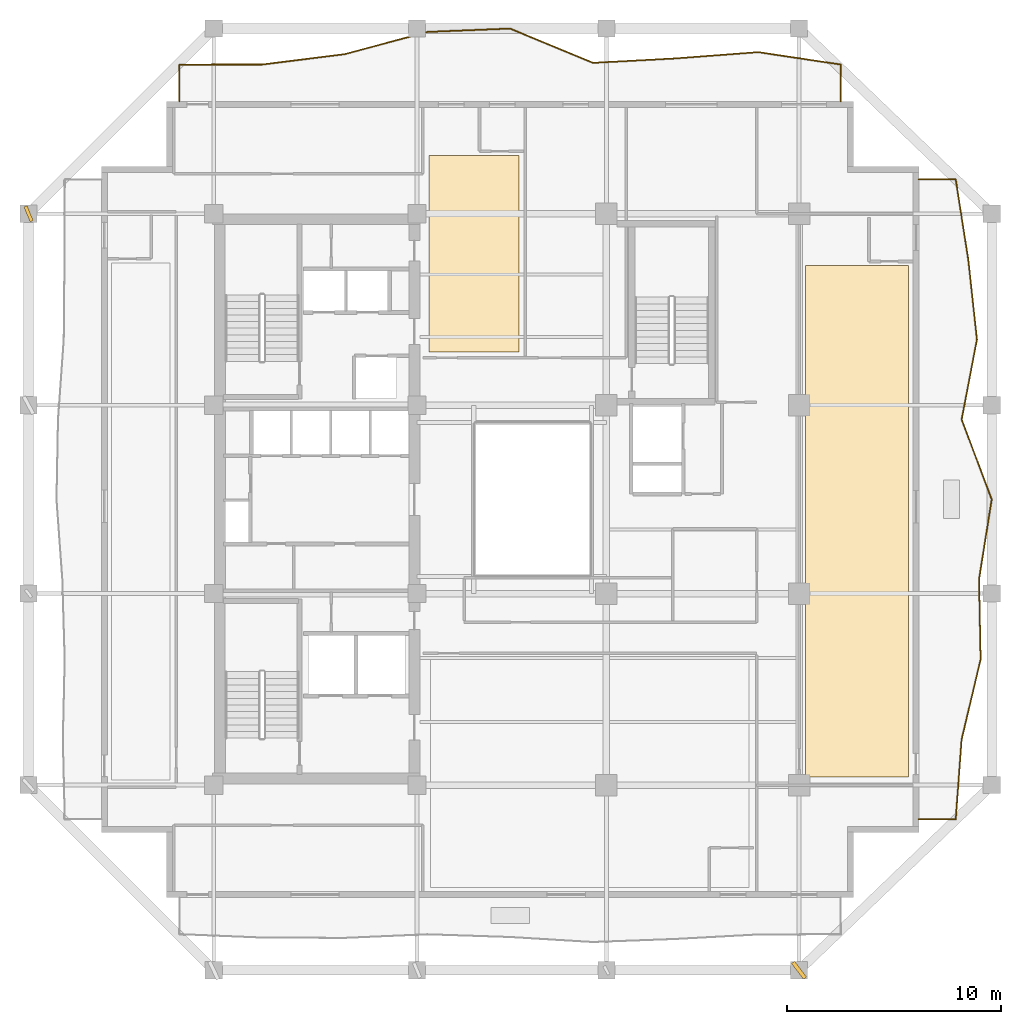
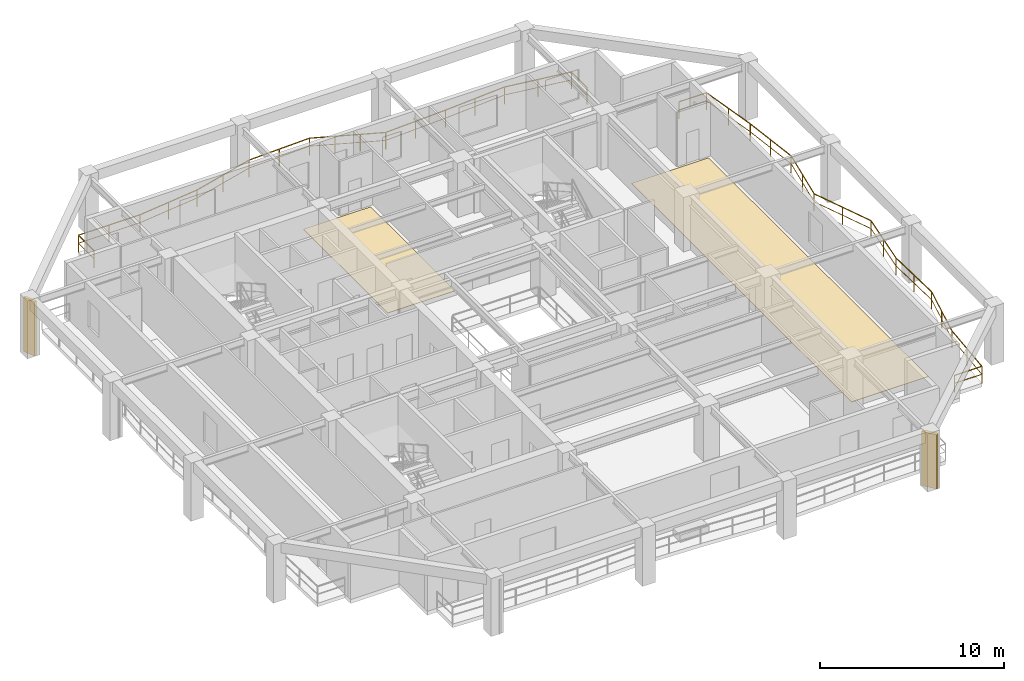
# One storey, part 9 of 10: 2 coverings, 2 railings, 2 shading devices.
"""IFC4 building model written with IfcOpenShell, lengths in metres."""

import ifcopenshell
import ifcopenshell.guid

model = None  # the IFC model being written
_history = None  # IfcOwnerHistory: only IFC2X3 demands one
_inside = {}  # id of a spatial element -> (the spatial element, [elements in it])
_under = {}  # id of a project, library or spatial element -> (it, [spatial elements below it])
_declared = {}  # id of a project -> (the project, [libraries it declares])
_typed = {}  # id of a type object -> (the type object, [elements of that type])
_made_of = {}  # id of a material, layer set ... -> (it, [elements and type objects made of it])


def new_model(schema):
    """Start an empty IFC model of exactly this schema.

    Asked for "IFC4X3", IfcOpenShell would pick the latest addendum, in which some entities
    have other attributes; the version numbers below select the first issue.
    IFC2X3 requires an IfcOwnerHistory on every rooted entity: one is made here for all.
    """
    global model, _history
    if schema == "IFC4X3":
        model = ifcopenshell.file(schema_version=(4, 3, 0, 0))
    else:
        model = ifcopenshell.file(schema=schema)
    _inside.clear()
    _under.clear()
    _declared.clear()
    _typed.clear()
    _made_of.clear()
    _history = None
    if model.schema == "IFC2X3":
        org = make("IfcOrganization", Name="unknown")
        user = make(
            "IfcPersonAndOrganization",
            ThePerson=make("IfcPerson", FamilyName="unknown"),
            TheOrganization=org,
        )
        app = make(
            "IfcApplication",
            ApplicationDeveloper=org,
            Version="unknown",
            ApplicationFullName="unknown",
            ApplicationIdentifier="unknown",
        )
        _history = make(
            "IfcOwnerHistory",
            OwningUser=user,
            OwningApplication=app,
            ChangeAction="ADDED",
            CreationDate=0,
        )
    return model


def make(cls, **values):
    """One entity of the class cls with the attributes given. An attribute that is None is left unset."""
    return model.create_entity(
        cls, **{name: value for name, value in values.items() if value is not None}
    )


def rooted(cls, **values):
    """An entity with a GlobalId (a new one), such as an element, a storey or a relation."""
    return make(cls, GlobalId=ifcopenshell.guid.new(), OwnerHistory=_history, **values)


def si_unit(unit_type, name, prefix=None):
    """IfcSIUnit, for example si_unit("LENGTHUNIT", "METRE", prefix="MILLI")."""
    return make("IfcSIUnit", UnitType=unit_type, Prefix=prefix, Name=name)


def assignment(units):
    """IfcUnitAssignment: the units of a project."""
    return None if units is None else make("IfcUnitAssignment", Units=units)


def point(xyz):
    """IfcCartesianPoint."""
    return None if xyz is None else make("IfcCartesianPoint", Coordinates=xyz)


def direction(xyz):
    """IfcDirection."""
    return None if xyz is None else make("IfcDirection", DirectionRatios=xyz)


def frame(location, z_axis=None, x_axis=None):
    """IfcAxis2Placement3D, a coordinate frame: its origin and axes. An axis left out is left unset."""
    return make(
        "IfcAxis2Placement3D",
        Location=point(location),
        Axis=direction(z_axis),
        RefDirection=direction(x_axis),
    )


def frame_2d(location, x_axis=None):
    """IfcAxis2Placement2D, a coordinate frame in the plane: its origin and x axis."""
    return make(
        "IfcAxis2Placement2D", Location=point(location), RefDirection=direction(x_axis)
    )


def origin():
    """The frame at (0, 0, 0) with its axes left unset."""
    return frame((0.0, 0.0, 0.0))


def origin_2d():
    """The frame at (0, 0) in the plane with its x axis left unset."""
    return frame_2d((0.0, 0.0))


def place(relative_to, where):
    """IfcLocalPlacement: puts the frame where relative to a parent placement (None: the world)."""
    return make(
        "IfcLocalPlacement", PlacementRelTo=relative_to, RelativePlacement=where
    )


def context(
    kind, dimensions, precision=None, world=None, true_north=None, identifier=None
):
    """IfcGeometricRepresentationContext, for example the 3D "Model" context."""
    return make(
        "IfcGeometricRepresentationContext",
        ContextIdentifier=identifier,
        ContextType=kind,
        CoordinateSpaceDimension=dimensions,
        Precision=precision,
        WorldCoordinateSystem=world,
        TrueNorth=true_north,
    )


def subcontext(parent, identifier, kind, view, scale=None):
    """IfcGeometricRepresentationSubContext, for example "Body" below "Model"."""
    return make(
        "IfcGeometricRepresentationSubContext",
        ContextIdentifier=identifier,
        ContextType=kind,
        ParentContext=parent,
        TargetScale=scale,
        TargetView=view,
    )


def project(units=None, contexts=None):
    """IfcProject with its units and contexts."""
    return rooted(
        "IfcProject",
        Name="project",
        RepresentationContexts=contexts,
        UnitsInContext=assignment(units),
    )


def spatial(cls, under=None, at=None, **own):
    """A site, building, storey or space (cls), placed at a placement, below another one or the project."""
    s = rooted(cls, ObjectPlacement=at, **own)
    if under is not None:
        _under.setdefault(under.id(), (under, []))[1].append(s)
    return s


def polyline(points):
    """IfcPolyline through the points."""
    return make("IfcPolyline", Points=[point(p) for p in points])


def profile(cls, at=None, kind="AREA", **sizes):
    """A parametric profile (cls). Its sizes go by their IFC names, for example OverallWidth=200.0."""
    return make(cls, ProfileType=kind, Position=at, **sizes)


def rectangle(**sizes):
    """IfcRectangleProfileDef."""
    return profile("IfcRectangleProfileDef", **sizes)


def outline(outer, holes=None, kind="AREA"):
    """IfcArbitraryClosedProfileDef: a profile drawn as a closed curve; with holes, ...WithVoids."""
    if holes is None:
        return make("IfcArbitraryClosedProfileDef", ProfileType=kind, OuterCurve=outer)
    return make(
        "IfcArbitraryProfileDefWithVoids",
        ProfileType=kind,
        OuterCurve=outer,
        InnerCurves=holes,
    )


def extrude(swept, where, along, depth):
    """IfcExtrudedAreaSolid: the profile swept, set in the frame where, extruded along a direction by depth."""
    return make(
        "IfcExtrudedAreaSolid",
        SweptArea=swept,
        Position=where,
        ExtrudedDirection=direction(along),
        Depth=depth,
    )


def shape(context_of_items, identifier, shape_type, items):
    """IfcShapeRepresentation: the items that make up one representation, for example the "Body"."""
    return make(
        "IfcShapeRepresentation",
        ContextOfItems=context_of_items,
        RepresentationIdentifier=identifier,
        RepresentationType=shape_type,
        Items=items,
    )


def material(Name=None, Category=None):
    """IfcMaterial."""
    return make("IfcMaterial", Name=Name, Category=Category)


def layer(
    of_material, thickness, ventilated=None, Name=None, Category=None, Priority=None
):
    """IfcMaterialLayer: one layer of a wall or slab, of a material (None: an air gap)."""
    return make(
        "IfcMaterialLayer",
        Material=of_material,
        LayerThickness=thickness,
        IsVentilated=ventilated,
        Name=Name,
        Category=Category,
        Priority=Priority,
    )


def layer_set(layers, Name=None):
    """IfcMaterialLayerSet."""
    return make("IfcMaterialLayerSet", MaterialLayers=layers, LayerSetName=Name)


def made_of(thing, what):
    """Note that an element or type object is made of a material, layer set ...; save() writes the relation."""
    if what is not None:
        _made_of.setdefault(what.id(), (what, []))[1].append(thing)
    return thing


def type_object(cls, material=None, **own):
    """A type object (cls), such as IfcWallType, which elements share."""
    return made_of(rooted(cls, **own), material)


def element(
    cls,
    number,
    at=None,
    inside=None,
    cuts=None,
    type_object=None,
    material=None,
    context=None,
    identifier="Body",
    shape_type=None,
    held_by="IfcProductDefinitionShape",
    body=None,
    shapes=None,
    **own,
):
    """One element of the class cls, such as IfcWall. Its Tag is "e" and its number.

    at: its placement. inside: the storey or other place that contains it. cuts: it is an
    opening in that element (IfcRelVoidsElement). A single representation is given by context,
    identifier, shape_type and body (its items); several are given by shapes. held_by: the class
    of the entity that holds the representations. save() writes the other relations.
    """
    e = rooted(cls, Tag="e%d" % number, ObjectPlacement=at, **own)
    if body is not None:
        shapes = [shape(context, identifier, shape_type, body)]
    if shapes is not None:
        e.Representation = make(held_by, Representations=shapes)
    if inside is not None:
        _inside.setdefault(inside.id(), (inside, []))[1].append(e)
    if cuts is not None:
        rooted(
            "IfcRelVoidsElement", RelatingBuildingElement=cuts, RelatedOpeningElement=e
        )
    if type_object is not None:
        _typed.setdefault(type_object.id(), (type_object, []))[1].append(e)
    return made_of(e, material)


def aggregate(whole, parts):
    """IfcRelAggregates: a whole, such as a stair, and the parts it consists of."""
    return rooted("IfcRelAggregates", RelatingObject=whole, RelatedObjects=parts)


def save(model, path):
    """Write the relations noted so far, then the file.

    IfcRelAggregates (storeys below a building ...), IfcRelContainedInSpatialStructure (elements
    in a storey), IfcRelDefinesByType, IfcRelAssociatesMaterial and IfcRelDeclares: one each for
    every whole, place, type object, material and project.
    """
    for whole, parts in _under.values():
        aggregate(whole, parts)
    for where, things in _inside.values():
        rooted(
            "IfcRelContainedInSpatialStructure",
            RelatedElements=things,
            RelatingStructure=where,
        )
    for kind, things in _typed.values():
        rooted("IfcRelDefinesByType", RelatedObjects=things, RelatingType=kind)
    for what, things in _made_of.values():
        rooted("IfcRelAssociatesMaterial", RelatedObjects=things, RelatingMaterial=what)
    for by, libraries in _declared.values():
        rooted("IfcRelDeclares", RelatingContext=by, RelatedDefinitions=libraries)
    model.write(path)


model = new_model("IFC4")

# Units and contexts
model_context = context("Model", 3, precision=1e-05, world=origin(), true_north=direction((0.0, 1.0)))
body_context = subcontext(model_context, "Body", "Model", "MODEL_VIEW")
ifc_project = project(units=[si_unit("LENGTHUNIT", "METRE"), si_unit("AREAUNIT", "SQUARE_METRE"), si_unit("VOLUMEUNIT", "CUBIC_METRE"), si_unit("PLANEANGLEUNIT", "RADIAN"), si_unit("MASSUNIT", "GRAM", prefix="KILO")], contexts=[model_context])

# Site, building, storey
site_placement = place(None, origin())
site = spatial("IfcSite", under=ifc_project, at=site_placement, CompositionType="ELEMENT")
building_placement = place(site_placement, origin())
building = spatial("IfcBuilding", under=site, at=building_placement, Name="Kundavana Baori Tower", CompositionType="ELEMENT")
storey_placement = place(building_placement, frame((0.0, 0.0, 111.699951171875)))
storey = spatial("IfcBuildingStorey", under=building, at=storey_placement, Name="L26", CompositionType="ELEMENT", Elevation=111.699951171875)

# Coverings
ifc_material_1 = material(Name="Honed Kota Stone and Terrazzo Flooring", Category="masonry")
ifc_layer = layer(ifc_material_1, 0.030029296875, Name="COV-INT-FLR")
ifc_layer_set = layer_set([ifc_layer], Name="Honed Kota Stone and Terrazzo Flooring")
covering_type = type_object("IfcCoveringType", Name="COV-INT-FLR", PredefinedType="FLOORING", material=ifc_layer_set)
covering_1_placement = place(storey_placement, origin())
element("IfcCovering", 1, at=covering_1_placement, inside=storey, type_object=covering_type, Name="L26 Room Finished Stone Flooring 3", PredefinedType="FLOORING", context=body_context, shape_type="SweptSolid", body=[
    extrude(outline(polyline([(43.10009765625, 15.6298828125), (47.919921875, 15.6298828125), (47.919921875, 39.52001953125), (43.10009765625, 39.52001953125), (43.10009765625, 15.6298828125)])), origin(), (0.0, 0.0, 1.0), 0.030029296875),
])
covering_2_placement = place(storey_placement, origin())
element("IfcCovering", 2, at=covering_2_placement, inside=storey, type_object=covering_type, Name="L26 Room Finished Stone Flooring 4", PredefinedType="FLOORING", context=body_context, shape_type="SweptSolid", body=[
    extrude(outline(polyline([(25.5, 35.5), (29.719970703125, 35.5), (29.719970703125, 44.669921875), (25.5, 44.669921875), (25.5, 35.5)])), origin(), (0.0, 0.0, 1.0), 0.030029296875),
])

# Railings
ifc_material_2 = material(Name="Architectural Patinated Bronze Metalwork")
railing_type = type_object("IfcRailingType", Name="RL-BAL-1150", PredefinedType="BALUSTRADE", material=ifc_material_2)
railing_1_placement = place(storey_placement, frame((48.39990234375, 43.550048828125, 0.0)))
element("IfcRailing", 3, at=railing_1_placement, inside=storey, type_object=railing_type, Name="L26 Loggia Balcony Balustrade E", PredefinedType="BALUSTRADE", context=body_context, shape_type="SweptSolid", body=[
    extrude(rectangle(XDim=0.048095703125, YDim=0.048095703125, at=origin_2d()), frame((0.0, 0.0, 1.1259765625), z_axis=(1.0, 0.0, 0.0), x_axis=(0.0, 1.0, 0.0)), (0.0, 0.0, 1.0), 1.72021484375),
    extrude(rectangle(XDim=0.03125, YDim=0.03125, at=origin_2d()), frame((0.0, 0.0, 0.597900390625), z_axis=(1.0, 0.0, 0.0), x_axis=(0.0, 1.0, 0.0)), (0.0, 0.0, 1.0), 1.72021484375),
    extrude(rectangle(XDim=0.048095703125, YDim=0.048095703125, at=origin_2d()), frame((1.72021484375, 0.0, 1.1259765625), z_axis=(0.155110998896, -0.987897048291, 0.0), x_axis=(0.987897048291, 0.155110998896, 0.0)), (0.0, 0.0, 1.0), 3.783935546875),
    extrude(rectangle(XDim=0.03125, YDim=0.03125, at=origin_2d()), frame((1.72021484375, 0.0, 0.597900390625), z_axis=(0.155110998896, -0.987897048291, 0.0), x_axis=(0.987897048291, 0.155110998896, 0.0)), (0.0, 0.0, 1.0), 3.783935546875),
    extrude(rectangle(XDim=0.048095703125, YDim=0.048095703125, at=origin_2d()), frame((2.30712890625, -3.738037109375, 1.1259765625), z_axis=(0.10800755031, -0.994150073719, 0.0), x_axis=(0.994150073719, 0.10800755031, 0.0)), (0.0, 0.0, 1.0), 3.759033203125),
    extrude(rectangle(XDim=0.03125, YDim=0.03125, at=origin_2d()), frame((2.30712890625, -3.738037109375, 0.597900390625), z_axis=(0.10800755031, -0.994150073719, 0.0), x_axis=(0.994150073719, 0.10800755031, 0.0)), (0.0, 0.0, 1.0), 3.759033203125),
    extrude(rectangle(XDim=0.048095703125, YDim=0.048095703125, at=origin_2d()), frame((2.713134765625, -7.47509765625, 1.1259765625), z_axis=(-0.187645653858, -0.982236788452, 0.0), x_axis=(0.982236788452, -0.187645653858, 0.0)), (0.0, 0.0, 1.0), 3.8056640625),
    extrude(rectangle(XDim=0.03125, YDim=0.03125, at=origin_2d()), frame((2.713134765625, -7.47509765625, 0.597900390625), z_axis=(-0.187645653858, -0.982236788452, 0.0), x_axis=(0.982236788452, -0.187645653858, 0.0)), (0.0, 0.0, 1.0), 3.8056640625),
    extrude(rectangle(XDim=0.048095703125, YDim=0.048095703125, at=origin_2d()), frame((1.9990234375, -11.213134765625, 1.1259765625), z_axis=(0.351083216619, -0.936344260947, 0.0), x_axis=(0.936344260947, 0.351083216619, 0.0)), (0.0, 0.0, 1.0), 3.990966796875),
    extrude(rectangle(XDim=0.03125, YDim=0.03125, at=origin_2d()), frame((1.9990234375, -11.213134765625, 0.597900390625), z_axis=(0.351083216619, -0.936344260947, 0.0), x_axis=(0.936344260947, 0.351083216619, 0.0)), (0.0, 0.0, 1.0), 3.990966796875),
    extrude(rectangle(XDim=0.048095703125, YDim=0.048095703125, at=origin_2d()), frame((3.400146484375, -14.949951171875, 1.1259765625), z_axis=(-0.155929444764, -0.987768195608, 0.0), x_axis=(0.987768195608, -0.155929444764, 0.0)), (0.0, 0.0, 1.0), 3.784423828125),
    extrude(rectangle(XDim=0.03125, YDim=0.03125, at=origin_2d()), frame((3.400146484375, -14.949951171875, 0.597900390625), z_axis=(-0.155929444764, -0.987768195608, 0.0), x_axis=(0.987768195608, -0.155929444764, 0.0)), (0.0, 0.0, 1.0), 3.784423828125),
    extrude(rectangle(XDim=0.048095703125, YDim=0.048095703125, at=origin_2d()), frame((2.81005859375, -18.68798828125, 1.1259765625), z_axis=(0.020052150857, -0.99979893541, 0.0), x_axis=(0.99979893541, 0.020052150857, 0.0)), (0.0, 0.0, 1.0), 3.73779296875),
    extrude(rectangle(XDim=0.03125, YDim=0.03125, at=origin_2d()), frame((2.81005859375, -18.68798828125, 0.597900390625), z_axis=(0.020052150857, -0.99979893541, 0.0), x_axis=(0.99979893541, 0.020052150857, 0.0)), (0.0, 0.0, 1.0), 3.73779296875),
    extrude(rectangle(XDim=0.048095703125, YDim=0.048095703125, at=origin_2d()), frame((2.885009765625, -22.425048828125, 1.1259765625), z_axis=(-0.231110777151, -0.972927442662, 0.0), x_axis=(0.972927442662, -0.231110777151, 0.0)), (0.0, 0.0, 1.0), 3.842041015625),
    extrude(rectangle(XDim=0.03125, YDim=0.03125, at=origin_2d()), frame((2.885009765625, -22.425048828125, 0.597900390625), z_axis=(-0.231110777151, -0.972927442662, 0.0), x_axis=(0.972927442662, -0.231110777151, 0.0)), (0.0, 0.0, 1.0), 3.842041015625),
    extrude(rectangle(XDim=0.048095703125, YDim=0.048095703125, at=origin_2d()), frame((1.9970703125, -26.1630859375, 1.1259765625), z_axis=(-0.073881284847, -0.997267043349, 0.0), x_axis=(0.997267043349, -0.073881284847, 0.0)), (0.0, 0.0, 1.0), 3.747314453125),
    extrude(rectangle(XDim=0.03125, YDim=0.03125, at=origin_2d()), frame((1.9970703125, -26.1630859375, 0.597900390625), z_axis=(-0.073881284847, -0.997267043349, 0.0), x_axis=(0.997267043349, -0.073881284847, 0.0)), (0.0, 0.0, 1.0), 3.747314453125),
    extrude(rectangle(XDim=0.048095703125, YDim=0.048095703125, at=origin_2d()), frame((1.72021484375, -29.900146484375, 1.1259765625), z_axis=(-1.0, 0.0, 0.0), x_axis=(0.0, -1.0, 0.0)), (0.0, 0.0, 1.0), 1.72021484375),
    extrude(rectangle(XDim=0.03125, YDim=0.03125, at=origin_2d()), frame((1.72021484375, -29.900146484375, 0.597900390625), z_axis=(-1.0, 0.0, 0.0), x_axis=(0.0, -1.0, 0.0)), (0.0, 0.0, 1.0), 1.72021484375),
    extrude(rectangle(XDim=0.0419921875, YDim=0.0419921875, at=origin_2d()), origin(), (0.0, 0.0, 1.0), 1.101806640625),
    extrude(rectangle(XDim=0.0419921875, YDim=0.0419921875, at=origin_2d()), frame((1.72021484375, 0.0, 0.0)), (0.0, 0.0, 1.0), 1.101806640625),
    extrude(rectangle(XDim=0.0419921875, YDim=0.0419921875, at=origin_2d()), frame((2.013671875, -1.869140625, 0.0)), (0.0, 0.0, 1.0), 1.101806640625),
    extrude(rectangle(XDim=0.0419921875, YDim=0.0419921875, at=origin_2d()), frame((2.30712890625, -3.738037109375, 0.0)), (0.0, 0.0, 1.0), 1.101806640625),
    extrude(rectangle(XDim=0.0419921875, YDim=0.0419921875, at=origin_2d()), frame((2.51025390625, -5.6064453125, 0.0)), (0.0, 0.0, 1.0), 1.101806640625),
    extrude(rectangle(XDim=0.0419921875, YDim=0.0419921875, at=origin_2d()), frame((2.713134765625, -7.47509765625, 0.0)), (0.0, 0.0, 1.0), 1.101806640625),
    extrude(rectangle(XDim=0.0419921875, YDim=0.0419921875, at=origin_2d()), frame((2.35595703125, -9.34423828125, 0.0)), (0.0, 0.0, 1.0), 1.101806640625),
    extrude(rectangle(XDim=0.0419921875, YDim=0.0419921875, at=origin_2d()), frame((1.9990234375, -11.213134765625, 0.0)), (0.0, 0.0, 1.0), 1.101806640625),
    extrude(rectangle(XDim=0.0419921875, YDim=0.0419921875, at=origin_2d()), frame((2.69970703125, -13.08154296875, 0.0)), (0.0, 0.0, 1.0), 1.101806640625),
    extrude(rectangle(XDim=0.0419921875, YDim=0.0419921875, at=origin_2d()), frame((3.400146484375, -14.949951171875, 0.0)), (0.0, 0.0, 1.0), 1.101806640625),
    extrude(rectangle(XDim=0.0419921875, YDim=0.0419921875, at=origin_2d()), frame((3.10498046875, -16.81884765625, 0.0)), (0.0, 0.0, 1.0), 1.101806640625),
    extrude(rectangle(XDim=0.0419921875, YDim=0.0419921875, at=origin_2d()), frame((2.81005859375, -18.68798828125, 0.0)), (0.0, 0.0, 1.0), 1.101806640625),
    extrude(rectangle(XDim=0.0419921875, YDim=0.0419921875, at=origin_2d()), frame((2.84765625, -20.556640625, 0.0)), (0.0, 0.0, 1.0), 1.101806640625),
    extrude(rectangle(XDim=0.0419921875, YDim=0.0419921875, at=origin_2d()), frame((2.885009765625, -22.425048828125, 0.0)), (0.0, 0.0, 1.0), 1.101806640625),
    extrude(rectangle(XDim=0.0419921875, YDim=0.0419921875, at=origin_2d()), frame((2.44091796875, -24.2939453125, 0.0)), (0.0, 0.0, 1.0), 1.101806640625),
    extrude(rectangle(XDim=0.0419921875, YDim=0.0419921875, at=origin_2d()), frame((1.9970703125, -26.1630859375, 0.0)), (0.0, 0.0, 1.0), 1.101806640625),
    extrude(rectangle(XDim=0.0419921875, YDim=0.0419921875, at=origin_2d()), frame((1.858642578125, -28.03173828125, 0.0)), (0.0, 0.0, 1.0), 1.101806640625),
    extrude(rectangle(XDim=0.0419921875, YDim=0.0419921875, at=origin_2d()), frame((1.72021484375, -29.900146484375, 0.0)), (0.0, 0.0, 1.0), 1.101806640625),
    extrude(rectangle(XDim=0.0419921875, YDim=0.0419921875, at=origin_2d()), frame((0.0, -29.900146484375, 0.0)), (0.0, 0.0, 1.0), 1.101806640625),
])
railing_2_placement = place(storey_placement, frame((13.85009765625, 47.199951171875, 0.0)))
element("IfcRailing", 4, at=railing_2_placement, inside=storey, type_object=railing_type, Name="L26 Loggia Balcony Balustrade N", PredefinedType="BALUSTRADE", context=body_context, shape_type="SweptSolid", body=[
    extrude(rectangle(XDim=0.048095703125, YDim=0.048095703125, at=origin_2d()), frame((0.0, 0.0, 1.1259765625), z_axis=(0.0, 1.0, 0.0), x_axis=(-1.0, 0.0, 0.0)), (0.0, 0.0, 1.0), 1.719970703125),
    extrude(rectangle(XDim=0.03125, YDim=0.03125, at=origin_2d()), frame((0.0, 0.0, 0.597900390625), z_axis=(0.0, 1.0, 0.0), x_axis=(-1.0, 0.0, 0.0)), (0.0, 0.0, 1.0), 1.719970703125),
    extrude(rectangle(XDim=0.048095703125, YDim=0.048095703125, at=origin_2d()), frame((0.0, 1.719970703125, 1.1259765625), z_axis=(0.999999968027, 0.000252876462, 0.0), x_axis=(-0.000252876462, 0.999999968027, 0.0)), (0.0, 0.0, 1.0), 3.86181640625),
    extrude(rectangle(XDim=0.03125, YDim=0.03125, at=origin_2d()), frame((0.0, 1.719970703125, 0.597900390625), z_axis=(0.999999968027, 0.000252876462, 0.0), x_axis=(-0.000252876462, 0.999999968027, 0.0)), (0.0, 0.0, 1.0), 3.86181640625),
    extrude(rectangle(XDim=0.048095703125, YDim=0.048095703125, at=origin_2d()), frame((3.86181640625, 1.720947265625, 1.1259765625), z_axis=(0.992207292382, 0.124598109711, 0.0), x_axis=(-0.124598109711, 0.992207292382, 0.0)), (0.0, 0.0, 1.0), 3.893310546875),
    extrude(rectangle(XDim=0.03125, YDim=0.03125, at=origin_2d()), frame((3.86181640625, 1.720947265625, 0.597900390625), z_axis=(0.992207292382, 0.124598109711, 0.0), x_axis=(-0.124598109711, 0.992207292382, 0.0)), (0.0, 0.0, 1.0), 3.893310546875),
    extrude(rectangle(XDim=0.048095703125, YDim=0.048095703125, at=origin_2d()), frame((7.724853515625, 2.2060546875, 1.1259765625), z_axis=(0.965799975681, 0.25928827003, 0.0), x_axis=(-0.25928827003, 0.965799975681, 0.0)), (0.0, 0.0, 1.0), 3.999755859375),
    extrude(rectangle(XDim=0.03125, YDim=0.03125, at=origin_2d()), frame((7.724853515625, 2.2060546875, 0.597900390625), z_axis=(0.965799975681, 0.25928827003, 0.0), x_axis=(-0.25928827003, 0.965799975681, 0.0)), (0.0, 0.0, 1.0), 3.999755859375),
    extrude(rectangle(XDim=0.048095703125, YDim=0.048095703125, at=origin_2d()), frame((11.587890625, 3.2431640625, 1.1259765625), z_axis=(0.999174919833, 0.04061378554, 0.0), x_axis=(-0.04061378554, 0.999174919833, 0.0)), (0.0, 0.0, 1.0), 3.865234375),
    extrude(rectangle(XDim=0.03125, YDim=0.03125, at=origin_2d()), frame((11.587890625, 3.2431640625, 0.597900390625), z_axis=(0.999174919833, 0.04061378554, 0.0), x_axis=(-0.04061378554, 0.999174919833, 0.0)), (0.0, 0.0, 1.0), 3.865234375),
    extrude(rectangle(XDim=0.048095703125, YDim=0.048095703125, at=origin_2d()), frame((15.449951171875, 3.400146484375, 1.1259765625), z_axis=(0.923799034499, -0.382877713976, 0.0), x_axis=(0.382877713976, 0.923799034499, 0.0)), (0.0, 0.0, 1.0), 4.181640625),
    extrude(rectangle(XDim=0.03125, YDim=0.03125, at=origin_2d()), frame((15.449951171875, 3.400146484375, 0.597900390625), z_axis=(0.923799034499, -0.382877713976, 0.0), x_axis=(0.382877713976, 0.923799034499, 0.0)), (0.0, 0.0, 1.0), 4.181640625),
    extrude(rectangle(XDim=0.048095703125, YDim=0.048095703125, at=origin_2d()), frame((19.31298828125, 1.799072265625, 1.1259765625), z_axis=(0.998566084129, 0.053532939647, 0.0), x_axis=(-0.053532939647, 0.998566084129, 0.0)), (0.0, 0.0, 1.0), 3.867431640625),
    extrude(rectangle(XDim=0.03125, YDim=0.03125, at=origin_2d()), frame((19.31298828125, 1.799072265625, 0.597900390625), z_axis=(0.998566084129, 0.053532939647, 0.0), x_axis=(-0.053532939647, 0.998566084129, 0.0)), (0.0, 0.0, 1.0), 3.867431640625),
    extrude(rectangle(XDim=0.048095703125, YDim=0.048095703125, at=origin_2d()), frame((23.1748046875, 2.006103515625, 1.1259765625), z_axis=(0.997116081029, 0.075891507779, 0.0), x_axis=(-0.075891507779, 0.997116081029, 0.0)), (0.0, 0.0, 1.0), 3.873291015625),
    extrude(rectangle(XDim=0.03125, YDim=0.03125, at=origin_2d()), frame((23.1748046875, 2.006103515625, 0.597900390625), z_axis=(0.997116081029, 0.075891507779, 0.0), x_axis=(-0.075891507779, 0.997116081029, 0.0)), (0.0, 0.0, 1.0), 3.873291015625),
    extrude(rectangle(XDim=0.048095703125, YDim=0.048095703125, at=origin_2d()), frame((27.036865234375, 2.300048828125, 1.1259765625), z_axis=(0.98891296097, -0.148496315191, 0.0), x_axis=(0.148496315191, 0.98891296097, 0.0)), (0.0, 0.0, 1.0), 3.90625),
    extrude(rectangle(XDim=0.03125, YDim=0.03125, at=origin_2d()), frame((27.036865234375, 2.300048828125, 0.597900390625), z_axis=(0.98891296097, -0.148496315191, 0.0), x_axis=(0.148496315191, 0.98891296097, 0.0)), (0.0, 0.0, 1.0), 3.90625),
    extrude(rectangle(XDim=0.048095703125, YDim=0.048095703125, at=origin_2d()), frame((30.89990234375, 1.719970703125, 1.1259765625), z_axis=(0.0, -1.0, 0.0), x_axis=(1.0, 0.0, 0.0)), (0.0, 0.0, 1.0), 1.719970703125),
    extrude(rectangle(XDim=0.03125, YDim=0.03125, at=origin_2d()), frame((30.89990234375, 1.719970703125, 0.597900390625), z_axis=(0.0, -1.0, 0.0), x_axis=(1.0, 0.0, 0.0)), (0.0, 0.0, 1.0), 1.719970703125),
    extrude(rectangle(XDim=0.0419921875, YDim=0.0419921875, at=origin_2d()), origin(), (0.0, 0.0, 1.0), 1.101806640625),
    extrude(rectangle(XDim=0.0419921875, YDim=0.0419921875, at=origin_2d()), frame((0.0, 1.719970703125, 0.0)), (0.0, 0.0, 1.0), 1.101806640625),
    extrude(rectangle(XDim=0.0419921875, YDim=0.0419921875, at=origin_2d()), frame((1.930908203125, 1.720458984375, 0.0)), (0.0, 0.0, 1.0), 1.101806640625),
    extrude(rectangle(XDim=0.0419921875, YDim=0.0419921875, at=origin_2d()), frame((3.86181640625, 1.720947265625, 0.0)), (0.0, 0.0, 1.0), 1.101806640625),
    extrude(rectangle(XDim=0.0419921875, YDim=0.0419921875, at=origin_2d()), frame((5.79345703125, 1.96337890625, 0.0)), (0.0, 0.0, 1.0), 1.101806640625),
    extrude(rectangle(XDim=0.0419921875, YDim=0.0419921875, at=origin_2d()), frame((7.724853515625, 2.2060546875, 0.0)), (0.0, 0.0, 1.0), 1.101806640625),
    extrude(rectangle(XDim=0.0419921875, YDim=0.0419921875, at=origin_2d()), frame((9.65625, 2.724609375, 0.0)), (0.0, 0.0, 1.0), 1.101806640625),
    extrude(rectangle(XDim=0.0419921875, YDim=0.0419921875, at=origin_2d()), frame((11.587890625, 3.2431640625, 0.0)), (0.0, 0.0, 1.0), 1.101806640625),
    extrude(rectangle(XDim=0.0419921875, YDim=0.0419921875, at=origin_2d()), frame((13.51904296875, 3.32177734375, 0.0)), (0.0, 0.0, 1.0), 1.101806640625),
    extrude(rectangle(XDim=0.0419921875, YDim=0.0419921875, at=origin_2d()), frame((15.449951171875, 3.400146484375, 0.0)), (0.0, 0.0, 1.0), 1.101806640625),
    extrude(rectangle(XDim=0.0419921875, YDim=0.0419921875, at=origin_2d()), frame((16.737548828125, 2.866455078125, 0.0)), (0.0, 0.0, 1.0), 1.101806640625),
    extrude(rectangle(XDim=0.0419921875, YDim=0.0419921875, at=origin_2d()), frame((18.025390625, 2.332763671875, 0.0)), (0.0, 0.0, 1.0), 1.101806640625),
    extrude(rectangle(XDim=0.0419921875, YDim=0.0419921875, at=origin_2d()), frame((19.31298828125, 1.799072265625, 0.0)), (0.0, 0.0, 1.0), 1.101806640625),
    extrude(rectangle(XDim=0.0419921875, YDim=0.0419921875, at=origin_2d()), frame((21.243896484375, 1.902587890625, 0.0)), (0.0, 0.0, 1.0), 1.101806640625),
    extrude(rectangle(XDim=0.0419921875, YDim=0.0419921875, at=origin_2d()), frame((23.1748046875, 2.006103515625, 0.0)), (0.0, 0.0, 1.0), 1.101806640625),
    extrude(rectangle(XDim=0.0419921875, YDim=0.0419921875, at=origin_2d()), frame((25.10595703125, 2.153076171875, 0.0)), (0.0, 0.0, 1.0), 1.101806640625),
    extrude(rectangle(XDim=0.0419921875, YDim=0.0419921875, at=origin_2d()), frame((27.036865234375, 2.300048828125, 0.0)), (0.0, 0.0, 1.0), 1.101806640625),
    extrude(rectangle(XDim=0.0419921875, YDim=0.0419921875, at=origin_2d()), frame((28.96826171875, 2.010009765625, 0.0)), (0.0, 0.0, 1.0), 1.101806640625),
    extrude(rectangle(XDim=0.0419921875, YDim=0.0419921875, at=origin_2d()), frame((30.89990234375, 1.719970703125, 0.0)), (0.0, 0.0, 1.0), 1.101806640625),
    extrude(rectangle(XDim=0.0419921875, YDim=0.0419921875, at=origin_2d()), frame((30.89990234375, 0.0, 0.0)), (0.0, 0.0, 1.0), 1.101806640625),
])

# Shading devices
ifc_material_3 = material(Name="Red-Buff Dholpur Sandstone Cladding on Concrete C40/50", Category="masonry")
shading_device_type_1 = type_object("IfcShadingDeviceType", Name="SHD-FIN-750", PredefinedType="JALOUSIE", material=ifc_material_3)
shading_device_1_placement = place(storey_placement, frame((6.800048828125, 41.949951171875, 0.0), z_axis=(0.0, 0.0, 1.0), x_axis=(0.926134141791, 0.377194315187, 0.0)))
element("IfcShadingDevice", 5, at=shading_device_1_placement, inside=storey, type_object=shading_device_type_1, Name="L26 Sweeping Dholpur Sandstone Facade Fin 8", PredefinedType="JALOUSIE", context=body_context, shape_type="SweptSolid", body=[
    extrude(rectangle(XDim=0.159912109375, YDim=0.75, at=origin_2d()), origin(), (0.0, 0.0, 1.0), 3.60009765625),
])
ifc_material_4 = material(Name="Red-Buff Dholpur Sandstone Cladding on Concrete C40/50", Category="masonry")
shading_device_type_2 = type_object("IfcShadingDeviceType", Name="SHD-FIN-920", PredefinedType="JALOUSIE", material=ifc_material_4)
shading_device_2_placement = place(storey_placement, frame((42.800048828125, 6.60009765625, 0.0), z_axis=(0.0, 0.0, 1.0), x_axis=(0.797689196331, 0.603068773902, 0.0)))
element("IfcShadingDevice", 6, at=shading_device_2_placement, inside=storey, type_object=shading_device_type_2, Name="L26 Sweeping Dholpur Sandstone Facade Fin 4", PredefinedType="JALOUSIE", context=body_context, shape_type="SweptSolid", body=[
    extrude(rectangle(XDim=0.179931640625, YDim=0.919921875, at=origin_2d()), origin(), (0.0, 0.0, 1.0), 3.60009765625),
])

save(model, "model.ifc")
